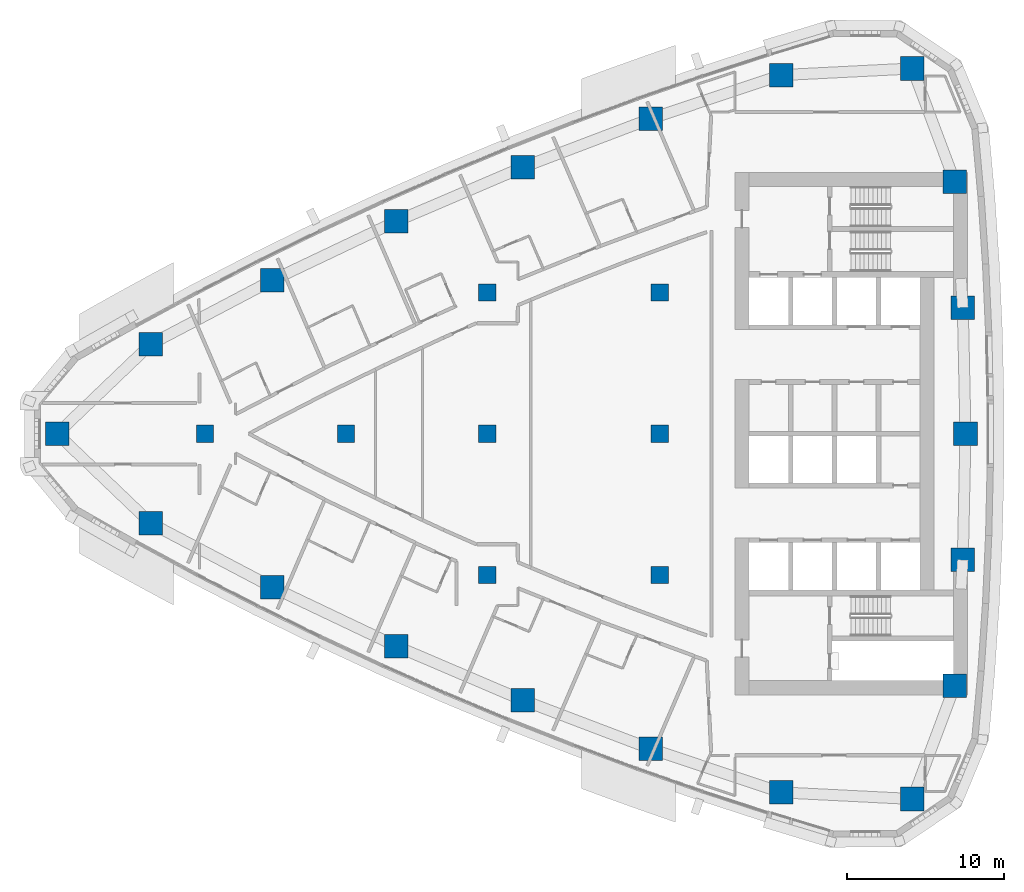
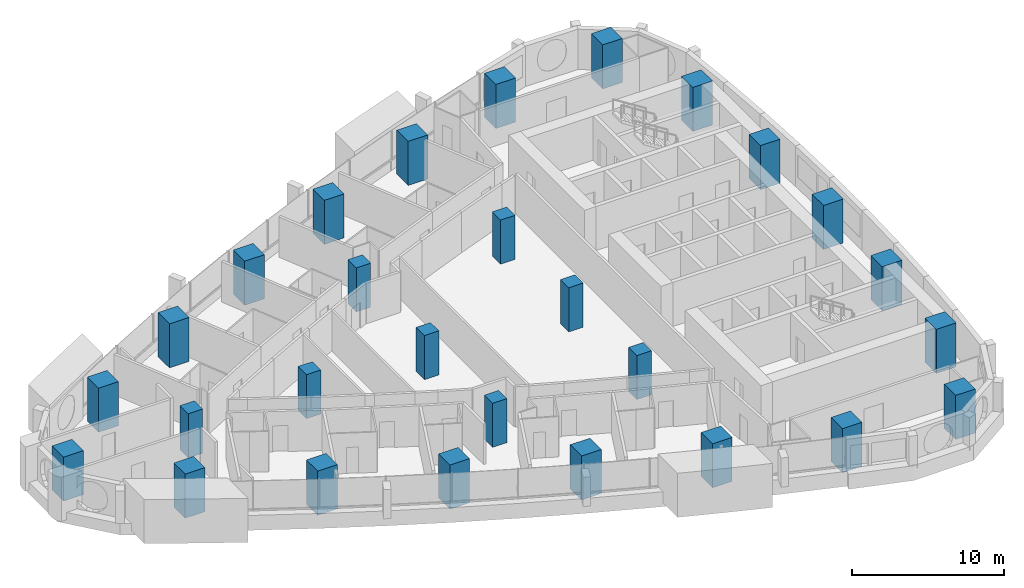
# One storey, part 1 of 17: 28 columns.
"""IFC4 building model written with IfcOpenShell, lengths in metres."""

from ifc_helpers import new_model, si_unit, direction, frame, origin, origin_2d, place, context, subcontext, project, spatial, rectangle, extrude, material, material_profile, profile_set, type_object, element, save


model = new_model("IFC4")

# Units and contexts
model_context = context("Model", 3, precision=1e-05, world=origin(), true_north=direction((0.0, 1.0)))
body_context = subcontext(model_context, "Body", "Model", "MODEL_VIEW")
ifc_project = project(units=[si_unit("LENGTHUNIT", "METRE"), si_unit("AREAUNIT", "SQUARE_METRE"), si_unit("VOLUMEUNIT", "CUBIC_METRE"), si_unit("PLANEANGLEUNIT", "RADIAN"), si_unit("MASSUNIT", "GRAM", prefix="KILO")], contexts=[model_context])

# Site, building, storey
site_placement = place(None, origin())
site = spatial("IfcSite", under=ifc_project, at=site_placement, CompositionType="ELEMENT")
building_placement = place(site_placement, origin())
building = spatial("IfcBuilding", under=site, at=building_placement, Name="Ostrand Prow Hotel Tower", CompositionType="ELEMENT")
storey_placement = place(building_placement, frame((0.0, 0.0, 151.5)))
storey = spatial("IfcBuildingStorey", under=building, at=storey_placement, Name="L37", CompositionType="ELEMENT", Elevation=151.5)

# Columns
ifc_material_1 = material(Name="Concrete C70/85", Category="concrete")
ifc_material_profile_1 = material_profile(ifc_material_1, rectangle(XDim=1.10009765625, YDim=1.10009765625, at=origin_2d()), Name="RC 1100x1100")
ifc_profile_set_1 = profile_set([ifc_material_profile_1], Name="Concrete C70/85")
column_type_1 = type_object("IfcColumnType", Name="Interior column 1100x1100 C70/85", PredefinedType="COLUMN", material=ifc_profile_set_1)
for number, where, z_axis, x_axis, name in (
    (1, (16.0, 0.0, 0.0), (0.0, 0.0, 1.0), (1.0, 0.0, 0.0), "Interior column 16C0"),
    (2, (25.0, 0.0, 0.0), (0.0, 0.0, 1.0), (1.0, 0.0, 0.0), "Interior column 25C0"),
    (3, (34.0, -9.0, 0.0), (0.0, 0.0, 1.0), (1.0, 0.0, 0.0), "Interior column 34S9"),
    (4, (34.0, 0.0, 0.0), (0.0, 0.0, 1.0), (1.0, 0.0, 0.0), "Interior column 34C0"),
    (5, (34.0, 9.0, 0.0), (0.0, 0.0, 1.0), (1.0, 0.0, 0.0), "Interior column 34N9"),
    (6, (45.0, -9.0, 0.0), (0.0, 0.0, 1.0), (1.0, 0.0, 0.0), "Interior column 45S9"),
    (7, (45.0, 0.0, 0.0), (0.0, 0.0, 1.0), (1.0, 0.0, 0.0), "Interior column 45C0"),
    (8, (45.0, 9.0, 0.0), (0.0, 0.0, 1.0), (1.0, 0.0, 0.0), "Interior column 45N9"),
):
    element("IfcColumn", number, at=place(storey_placement, frame(where, z_axis=z_axis, x_axis=x_axis)), inside=storey, type_object=column_type_1, Name=name, PredefinedType="COLUMN", context=body_context, shape_type="SweptSolid", body=[
        extrude(rectangle(XDim=1.10009765625, YDim=1.10009765625, at=origin_2d()), origin(), (0.0, 0.0, 1.0), 3.550048828125),
    ])
ifc_material_2 = material(Name="Concrete C70/85", Category="concrete")
ifc_material_profile_2 = material_profile(ifc_material_2, rectangle(XDim=1.5, YDim=1.5, at=origin_2d()), Name="RC 1500x1500")
ifc_profile_set_2 = profile_set([ifc_material_profile_2], Name="Concrete C70/85")
column_type_2 = type_object("IfcColumnType", Name="Stone-faced mega column 1500x1500 C70/85", PredefinedType="COLUMN", material=ifc_profile_set_2)
for number, where, z_axis, x_axis, name in (
    (9, (6.580078125, 0.0, 0.0), (0.0, 0.0, 1.0), (1.0, 0.0, 0.0), "Mega column P"),
    (10, (12.55322265625, -5.712646484375, 0.0), (0.0, 0.0, 1.0), (1.0, 0.0, 0.0), "Mega column S1"),
    (11, (20.300048828125, -9.787841796875, 0.0), (0.0, 0.0, 1.0), (1.0, 0.0, 0.0), "Mega column S2"),
    (12, (28.205078125, -13.547119140625, 0.0), (0.0, 0.0, 1.0), (1.0, 0.0, 0.0), "Mega column S3"),
    (13, (36.255615234375, -16.98388671875, 0.0), (0.0, 0.0, 1.0), (1.0, 0.0, 0.0), "Mega column S4"),
    (14, (44.438232421875, -20.093017578125, 0.0), (0.0, 0.0, 1.0), (1.0, 0.0, 0.0), "Mega column S5"),
    (15, (52.73974609375, -22.869140625, 0.0), (0.0, 0.0, 1.0), (1.0, 0.0, 0.0), "Mega column S6"),
    (16, (61.117431640625, -23.29052734375, 0.0), (0.0, 0.0, 1.0), (1.0, 0.0, 0.0), "Mega column SE"),
    (17, (63.818603515625, -16.074951171875, 0.0), (0.0, 0.0, 1.0), (1.0, 0.0, 0.0), "Mega column B1"),
    (18, (64.32958984375, -8.044677734375, 0.0), (0.0, 0.0, 1.0), (1.0, 0.0, 0.0), "Mega column B2"),
    (19, (64.5, 0.0, 0.0), (0.0, 0.0, 1.0), (1.0, 0.0, 0.0), "Mega column B3"),
    (20, (64.32958984375, 8.044677734375, 0.0), (0.0, 0.0, 1.0), (1.0, 0.0, 0.0), "Mega column B4"),
    (21, (63.818603515625, 16.074951171875, 0.0), (0.0, 0.0, 1.0), (1.0, 0.0, 0.0), "Mega column B5"),
    (22, (61.117431640625, 23.29052734375, 0.0), (0.0, 0.0, 1.0), (1.0, 0.0, 0.0), "Mega column NE"),
    (23, (52.73974609375, 22.869140625, 0.0), (0.0, 0.0, 1.0), (1.0, 0.0, 0.0), "Mega column N1"),
    (24, (44.438232421875, 20.093017578125, 0.0), (0.0, 0.0, 1.0), (1.0, 0.0, 0.0), "Mega column N2"),
    (25, (36.255615234375, 16.98388671875, 0.0), (0.0, 0.0, 1.0), (1.0, 0.0, 0.0), "Mega column N3"),
    (26, (28.205078125, 13.547119140625, 0.0), (0.0, 0.0, 1.0), (1.0, 0.0, 0.0), "Mega column N4"),
    (27, (20.300048828125, 9.787841796875, 0.0), (0.0, 0.0, 1.0), (1.0, 0.0, 0.0), "Mega column N5"),
    (28, (12.55322265625, 5.712646484375, 0.0), (0.0, 0.0, 1.0), (1.0, 0.0, 0.0), "Mega column N6"),
):
    element("IfcColumn", number, at=place(storey_placement, frame(where, z_axis=z_axis, x_axis=x_axis)), inside=storey, type_object=column_type_2, Name=name, PredefinedType="COLUMN", context=body_context, shape_type="SweptSolid", body=[
        extrude(rectangle(XDim=1.5, YDim=1.5, at=origin_2d()), origin(), (0.0, 0.0, 1.0), 3.550048828125),
    ])

save(model, "model.ifc")
